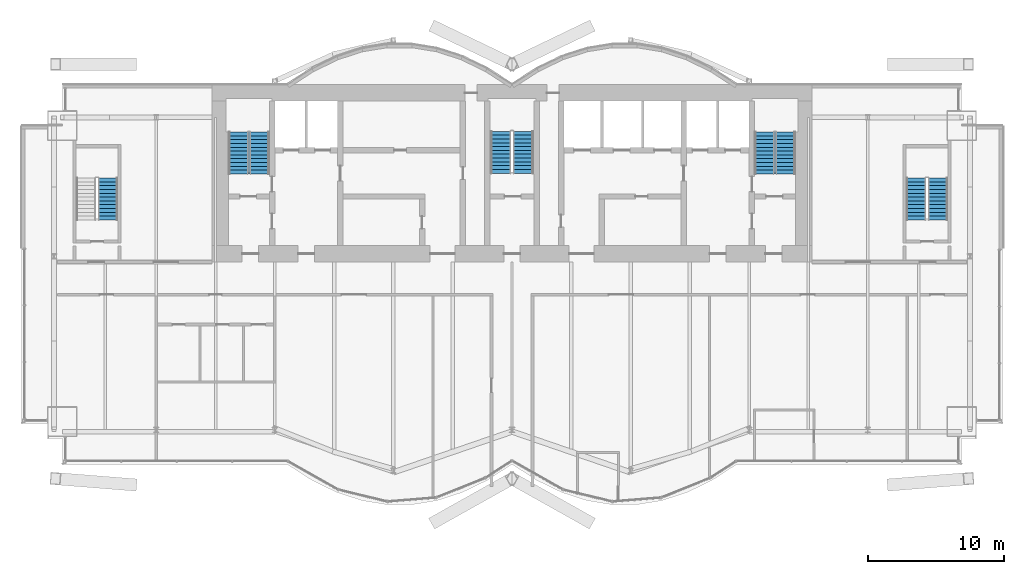
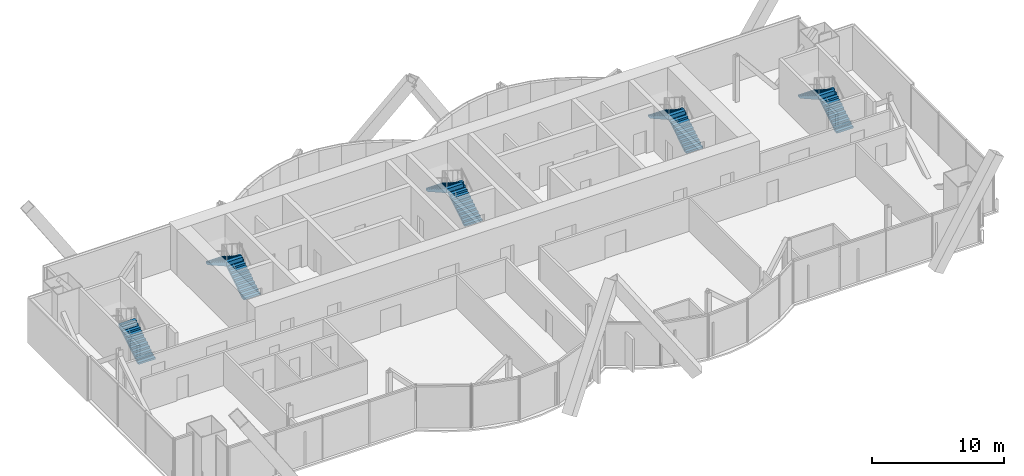
# One storey, part 16 of 19: 9 stair flights, 5 elements without a shape of their own.
"""IFC4 building model written with IfcOpenShell, lengths in metres."""

from ifc_helpers import new_model, si_unit, direction, frame, origin, place, context, subcontext, project, spatial, polyline, outline, extrude, material, type_object, element, aggregate, save


model = new_model("IFC4")

# Units and contexts
model_context = context("Model", 3, precision=1e-05, world=origin(), true_north=direction((0.0, 1.0)))
body_context = subcontext(model_context, "Body", "Model", "MODEL_VIEW")
ifc_project = project(units=[si_unit("LENGTHUNIT", "METRE"), si_unit("AREAUNIT", "SQUARE_METRE"), si_unit("VOLUMEUNIT", "CUBIC_METRE"), si_unit("PLANEANGLEUNIT", "RADIAN"), si_unit("MASSUNIT", "GRAM", prefix="KILO")], contexts=[model_context])

# Site, building, storey
site_placement = place(None, origin())
site = spatial("IfcSite", under=ifc_project, at=site_placement, CompositionType="ELEMENT")
building_placement = place(site_placement, origin())
building = spatial("IfcBuilding", under=site, at=building_placement, Name="Bicima Exchange Tower", CompositionType="ELEMENT")
storey_placement = place(building_placement, frame((0.0, 0.0, 283.39990234375)))
storey = spatial("IfcBuildingStorey", under=building, at=storey_placement, Name="L64", CompositionType="ELEMENT", Elevation=283.39990234375)

# Stair, stair flights
ifc_material = material(Name="Concrete C50/60", Category="concrete")
stair_type_1 = type_object("IfcStairType", Name="Exit stair", PredefinedType="HALF_TURN_STAIR", material=ifc_material)
stair_1_placement = place(storey_placement, origin())
stair_1 = element("IfcStair", 1, at=stair_1_placement, inside=storey, type_object=stair_type_1, Name="L64 West exit stair", PredefinedType="HALF_TURN_STAIR")
stair_flight_type_1 = type_object("IfcStairFlightType", Name="Stair flight RC", PredefinedType="STRAIGHT", material=ifc_material)
stair_flight_1_placement = place(storey_placement, frame((-18.52490234375, -6.550048828125, 0.0), z_axis=(0.0, 0.0, 1.0), x_axis=(0.0, 1.0, 0.0)))
stair_flight_1 = element("IfcStairFlight", 2, at=stair_flight_1_placement, type_object=stair_flight_type_1, Name="ST-W flight 1", NumberOfRisers=12, NumberOfTreads=11, PredefinedType="STRAIGHT", RiserHeight=0.175, TreadLength=0.28, context=body_context, shape_type="SweptSolid", body=[
    extrude(outline(polyline([(0.0, 0.0), (0.0, 0.175048828125), (0.280029296875, 0.175048828125), (0.280029296875, 0.35009765625), (0.56005859375, 0.35009765625), (0.56005859375, 0.52490234375), (0.840087890625, 0.52490234375), (0.840087890625, 0.699951171875), (1.1201171875, 0.699951171875), (1.1201171875, 0.875), (1.39990234375, 0.875), (1.39990234375, 1.050048828125), (1.679931640625, 1.050048828125), (1.679931640625, 1.22509765625), (1.9599609375, 1.22509765625), (1.9599609375, 1.39990234375), (2.239990234375, 1.39990234375), (2.239990234375, 1.574951171875), (2.52001953125, 1.574951171875), (2.52001953125, 1.75), (2.800048828125, 1.75), (2.800048828125, 1.925048828125), (3.080078125, 1.925048828125), (3.080078125, 2.10009765625), (3.080078125, 1.748291015625), (0.28271484375, 0.0), (0.0, 0.0)])), frame((0.0, 0.72509765625, 0.0), z_axis=(0.0, -1.0, 0.0), x_axis=(1.0, 0.0, 0.0)), (0.0, 0.0, 1.0), 1.449951171875),
])
stair_flight_2_placement = place(storey_placement, frame((-20.074951171875, -3.469970703125, 2.10009765625), z_axis=(0.0, 0.0, 1.0), x_axis=(0.0, -1.0, 0.0)))
stair_flight_2 = element("IfcStairFlight", 3, at=stair_flight_2_placement, type_object=stair_flight_type_1, Name="ST-W flight 2", NumberOfRisers=12, NumberOfTreads=11, PredefinedType="STRAIGHT", RiserHeight=0.175, TreadLength=0.28, context=body_context, shape_type="SweptSolid", body=[
    extrude(outline(polyline([(0.0, 0.0), (0.0, 0.175048828125), (0.280029296875, 0.175048828125), (0.280029296875, 0.35009765625), (0.56005859375, 0.35009765625), (0.56005859375, 0.52490234375), (0.840087890625, 0.52490234375), (0.840087890625, 0.699951171875), (1.1201171875, 0.699951171875), (1.1201171875, 0.875), (1.39990234375, 0.875), (1.39990234375, 1.050048828125), (1.679931640625, 1.050048828125), (1.679931640625, 1.22509765625), (1.9599609375, 1.22509765625), (1.9599609375, 1.39990234375), (2.239990234375, 1.39990234375), (2.239990234375, 1.574951171875), (2.52001953125, 1.574951171875), (2.52001953125, 1.75), (2.800048828125, 1.75), (2.800048828125, 1.925048828125), (3.080078125, 1.925048828125), (3.094970703125, 1.925048828125), (3.094970703125, 1.58251953125), (0.28271484375, 0.0), (0.0, 0.0)])), frame((0.0, 0.72509765625, 0.0), z_axis=(0.0, -1.0, 0.0), x_axis=(1.0, 0.0, 0.0)), (0.0, 0.0, 1.0), 1.449951171875),
])
aggregate(stair_1, [stair_flight_1, stair_flight_2])

stair_2_placement = place(storey_placement, origin())
stair_2 = element("IfcStair", 4, at=stair_2_placement, inside=storey, type_object=stair_type_1, Name="L64 East exit stair", PredefinedType="HALF_TURN_STAIR")
stair_flight_3_placement = place(storey_placement, frame((20.074951171875, -6.550048828125, 0.0), z_axis=(0.0, 0.0, 1.0), x_axis=(0.0, 1.0, 0.0)))
stair_flight_3 = element("IfcStairFlight", 5, at=stair_flight_3_placement, type_object=stair_flight_type_1, Name="ST-E flight 1", NumberOfRisers=12, NumberOfTreads=11, PredefinedType="STRAIGHT", RiserHeight=0.175, TreadLength=0.28, context=body_context, shape_type="SweptSolid", body=[
    extrude(outline(polyline([(0.0, 0.0), (0.0, 0.175048828125), (0.280029296875, 0.175048828125), (0.280029296875, 0.35009765625), (0.56005859375, 0.35009765625), (0.56005859375, 0.52490234375), (0.840087890625, 0.52490234375), (0.840087890625, 0.699951171875), (1.1201171875, 0.699951171875), (1.1201171875, 0.875), (1.39990234375, 0.875), (1.39990234375, 1.050048828125), (1.679931640625, 1.050048828125), (1.679931640625, 1.22509765625), (1.9599609375, 1.22509765625), (1.9599609375, 1.39990234375), (2.239990234375, 1.39990234375), (2.239990234375, 1.574951171875), (2.52001953125, 1.574951171875), (2.52001953125, 1.75), (2.800048828125, 1.75), (2.800048828125, 1.925048828125), (3.080078125, 1.925048828125), (3.080078125, 2.10009765625), (3.080078125, 1.748291015625), (0.28271484375, 0.0), (0.0, 0.0)])), frame((0.0, 0.72509765625, 0.0), z_axis=(0.0, -1.0, 0.0), x_axis=(1.0, 0.0, 0.0)), (0.0, 0.0, 1.0), 1.449951171875),
])
stair_flight_4_placement = place(storey_placement, frame((18.52490234375, -3.469970703125, 2.10009765625), z_axis=(0.0, 0.0, 1.0), x_axis=(0.0, -1.0, 0.0)))
stair_flight_4 = element("IfcStairFlight", 6, at=stair_flight_4_placement, type_object=stair_flight_type_1, Name="ST-E flight 2", NumberOfRisers=12, NumberOfTreads=11, PredefinedType="STRAIGHT", RiserHeight=0.175, TreadLength=0.28, context=body_context, shape_type="SweptSolid", body=[
    extrude(outline(polyline([(0.0, 0.0), (0.0, 0.175048828125), (0.280029296875, 0.175048828125), (0.280029296875, 0.35009765625), (0.56005859375, 0.35009765625), (0.56005859375, 0.52490234375), (0.840087890625, 0.52490234375), (0.840087890625, 0.699951171875), (1.1201171875, 0.699951171875), (1.1201171875, 0.875), (1.39990234375, 0.875), (1.39990234375, 1.050048828125), (1.679931640625, 1.050048828125), (1.679931640625, 1.22509765625), (1.9599609375, 1.22509765625), (1.9599609375, 1.39990234375), (2.239990234375, 1.39990234375), (2.239990234375, 1.574951171875), (2.52001953125, 1.574951171875), (2.52001953125, 1.75), (2.800048828125, 1.75), (2.800048828125, 1.925048828125), (3.080078125, 1.925048828125), (3.094970703125, 1.925048828125), (3.094970703125, 1.58251953125), (0.28271484375, 0.0), (0.0, 0.0)])), frame((0.0, 0.72509765625, 0.0), z_axis=(0.0, -1.0, 0.0), x_axis=(1.0, 0.0, 0.0)), (0.0, 0.0, 1.0), 1.449951171875),
])
aggregate(stair_2, [stair_flight_3, stair_flight_4])

# Stair, stair flight
stair_3_placement = place(storey_placement, origin())
stair_3 = element("IfcStair", 7, at=stair_3_placement, inside=storey, type_object=stair_type_1, Name="L64 West end exit stair", PredefinedType="HALF_TURN_STAIR")
stair_flight_5_placement = place(storey_placement, frame((-29.64990234375, -9.925048828125, 0.0), z_axis=(0.0, 0.0, 1.0), x_axis=(0.0, 1.0, 0.0)))
stair_flight_5 = element("IfcStairFlight", 8, at=stair_flight_5_placement, type_object=stair_flight_type_1, Name="ST-WW flight 1", NumberOfRisers=12, NumberOfTreads=11, PredefinedType="STRAIGHT", RiserHeight=0.175, TreadLength=0.28, context=body_context, shape_type="SweptSolid", body=[
    extrude(outline(polyline([(0.0, 0.0), (0.0, 0.175048828125), (0.280029296875, 0.175048828125), (0.280029296875, 0.35009765625), (0.56005859375, 0.35009765625), (0.56005859375, 0.52490234375), (0.840087890625, 0.52490234375), (0.840087890625, 0.699951171875), (1.1201171875, 0.699951171875), (1.1201171875, 0.875), (1.39990234375, 0.875), (1.39990234375, 1.050048828125), (1.679931640625, 1.050048828125), (1.679931640625, 1.22509765625), (1.9599609375, 1.22509765625), (1.9599609375, 1.39990234375), (2.239990234375, 1.39990234375), (2.239990234375, 1.574951171875), (2.52001953125, 1.574951171875), (2.52001953125, 1.75), (2.800048828125, 1.75), (2.800048828125, 1.925048828125), (3.080078125, 1.925048828125), (3.080078125, 2.10009765625), (3.080078125, 1.748291015625), (0.28271484375, 0.0), (0.0, 0.0)])), frame((0.0, 0.72509765625, 0.0), z_axis=(0.0, -1.0, 0.0), x_axis=(1.0, 0.0, 0.0)), (0.0, 0.0, 1.0), 1.449951171875),
])
aggregate(stair_3, [stair_flight_5])

# Stair, stair flights
stair_4_placement = place(storey_placement, origin())
stair_4 = element("IfcStair", 9, at=stair_4_placement, inside=storey, type_object=stair_type_1, Name="L64 East end exit stair", PredefinedType="HALF_TURN_STAIR")
stair_flight_6_placement = place(storey_placement, frame((31.25, -9.925048828125, 0.0), z_axis=(0.0, 0.0, 1.0), x_axis=(0.0, 1.0, 0.0)))
stair_flight_6 = element("IfcStairFlight", 10, at=stair_flight_6_placement, type_object=stair_flight_type_1, Name="ST-EE flight 1", NumberOfRisers=12, NumberOfTreads=11, PredefinedType="STRAIGHT", RiserHeight=0.175, TreadLength=0.28, context=body_context, shape_type="SweptSolid", body=[
    extrude(outline(polyline([(0.0, 0.0), (0.0, 0.175048828125), (0.280029296875, 0.175048828125), (0.280029296875, 0.35009765625), (0.56005859375, 0.35009765625), (0.56005859375, 0.52490234375), (0.840087890625, 0.52490234375), (0.840087890625, 0.699951171875), (1.1201171875, 0.699951171875), (1.1201171875, 0.875), (1.39990234375, 0.875), (1.39990234375, 1.050048828125), (1.679931640625, 1.050048828125), (1.679931640625, 1.22509765625), (1.9599609375, 1.22509765625), (1.9599609375, 1.39990234375), (2.239990234375, 1.39990234375), (2.239990234375, 1.574951171875), (2.52001953125, 1.574951171875), (2.52001953125, 1.75), (2.800048828125, 1.75), (2.800048828125, 1.925048828125), (3.080078125, 1.925048828125), (3.080078125, 2.10009765625), (3.080078125, 1.748291015625), (0.28271484375, 0.0), (0.0, 0.0)])), frame((0.0, 0.72509765625, 0.0), z_axis=(0.0, -1.0, 0.0), x_axis=(1.0, 0.0, 0.0)), (0.0, 0.0, 1.0), 1.449951171875),
])
stair_flight_7_placement = place(storey_placement, frame((29.64990234375, -6.844970703125, 2.10009765625), z_axis=(0.0, 0.0, 1.0), x_axis=(0.0, -1.0, 0.0)))
stair_flight_7 = element("IfcStairFlight", 11, at=stair_flight_7_placement, type_object=stair_flight_type_1, Name="ST-EE flight 2", NumberOfRisers=12, NumberOfTreads=11, PredefinedType="STRAIGHT", RiserHeight=0.175, TreadLength=0.28, context=body_context, shape_type="SweptSolid", body=[
    extrude(outline(polyline([(0.0, 0.0), (0.0, 0.175048828125), (0.280029296875, 0.175048828125), (0.280029296875, 0.35009765625), (0.56005859375, 0.35009765625), (0.56005859375, 0.52490234375), (0.840087890625, 0.52490234375), (0.840087890625, 0.699951171875), (1.1201171875, 0.699951171875), (1.1201171875, 0.875), (1.39990234375, 0.875), (1.39990234375, 1.050048828125), (1.679931640625, 1.050048828125), (1.679931640625, 1.22509765625), (1.9599609375, 1.22509765625), (1.9599609375, 1.39990234375), (2.239990234375, 1.39990234375), (2.239990234375, 1.574951171875), (2.52001953125, 1.574951171875), (2.52001953125, 1.75), (2.800048828125, 1.75), (2.800048828125, 1.925048828125), (3.080078125, 1.925048828125), (3.094970703125, 1.925048828125), (3.094970703125, 1.58251953125), (0.28271484375, 0.0), (0.0, 0.0)])), frame((0.0, 0.72509765625, 0.0), z_axis=(0.0, -1.0, 0.0), x_axis=(1.0, 0.0, 0.0)), (0.0, 0.0, 1.0), 1.449951171875),
])
aggregate(stair_4, [stair_flight_6, stair_flight_7])

stair_type_2 = type_object("IfcStairType", Name="Exit stair 1500", PredefinedType="HALF_TURN_STAIR", material=ifc_material)
stair_5_placement = place(storey_placement, origin())
stair_5 = element("IfcStair", 12, at=stair_5_placement, inside=storey, type_object=stair_type_2, Name="L64 Central exit stair", PredefinedType="HALF_TURN_STAIR")
stair_flight_type_2 = type_object("IfcStairFlightType", Name="Stair flight RC 1500", PredefinedType="STRAIGHT", material=ifc_material)
stair_flight_8_placement = place(storey_placement, frame((0.824951171875, -6.5, 0.0), z_axis=(0.0, 0.0, 1.0), x_axis=(0.0, 1.0, 0.0)))
stair_flight_8 = element("IfcStairFlight", 13, at=stair_flight_8_placement, type_object=stair_flight_type_2, Name="ST-C flight 1", NumberOfRisers=12, NumberOfTreads=11, PredefinedType="STRAIGHT", RiserHeight=0.175, TreadLength=0.28, context=body_context, shape_type="SweptSolid", body=[
    extrude(outline(polyline([(0.0, 0.0), (0.0, 0.175048828125), (0.280029296875, 0.175048828125), (0.280029296875, 0.35009765625), (0.56005859375, 0.35009765625), (0.56005859375, 0.52490234375), (0.840087890625, 0.52490234375), (0.840087890625, 0.699951171875), (1.1201171875, 0.699951171875), (1.1201171875, 0.875), (1.39990234375, 0.875), (1.39990234375, 1.050048828125), (1.679931640625, 1.050048828125), (1.679931640625, 1.22509765625), (1.9599609375, 1.22509765625), (1.9599609375, 1.39990234375), (2.239990234375, 1.39990234375), (2.239990234375, 1.574951171875), (2.52001953125, 1.574951171875), (2.52001953125, 1.75), (2.800048828125, 1.75), (2.800048828125, 1.925048828125), (3.080078125, 1.925048828125), (3.080078125, 2.10009765625), (3.080078125, 1.748291015625), (0.28271484375, 0.0), (0.0, 0.0)])), frame((0.0, 0.75, 0.0), z_axis=(0.0, -1.0, 0.0), x_axis=(1.0, 0.0, 0.0)), (0.0, 0.0, 1.0), 1.5),
])
stair_flight_9_placement = place(storey_placement, frame((-0.824951171875, -3.419921875, 2.10009765625), z_axis=(0.0, 0.0, 1.0), x_axis=(0.0, -1.0, 0.0)))
stair_flight_9 = element("IfcStairFlight", 14, at=stair_flight_9_placement, type_object=stair_flight_type_2, Name="ST-C flight 2", NumberOfRisers=12, NumberOfTreads=11, PredefinedType="STRAIGHT", RiserHeight=0.175, TreadLength=0.28, context=body_context, shape_type="SweptSolid", body=[
    extrude(outline(polyline([(0.0, 0.0), (0.0, 0.175048828125), (0.280029296875, 0.175048828125), (0.280029296875, 0.35009765625), (0.56005859375, 0.35009765625), (0.56005859375, 0.52490234375), (0.840087890625, 0.52490234375), (0.840087890625, 0.699951171875), (1.1201171875, 0.699951171875), (1.1201171875, 0.875), (1.39990234375, 0.875), (1.39990234375, 1.050048828125), (1.679931640625, 1.050048828125), (1.679931640625, 1.22509765625), (1.9599609375, 1.22509765625), (1.9599609375, 1.39990234375), (2.239990234375, 1.39990234375), (2.239990234375, 1.574951171875), (2.52001953125, 1.574951171875), (2.52001953125, 1.75), (2.800048828125, 1.75), (2.800048828125, 1.925048828125), (3.080078125, 1.925048828125), (3.094970703125, 1.925048828125), (3.094970703125, 1.58251953125), (0.28271484375, 0.0), (0.0, 0.0)])), frame((0.0, 0.75, 0.0), z_axis=(0.0, -1.0, 0.0), x_axis=(1.0, 0.0, 0.0)), (0.0, 0.0, 1.0), 1.5),
])
aggregate(stair_5, [stair_flight_8, stair_flight_9])

save(model, "model.ifc")
